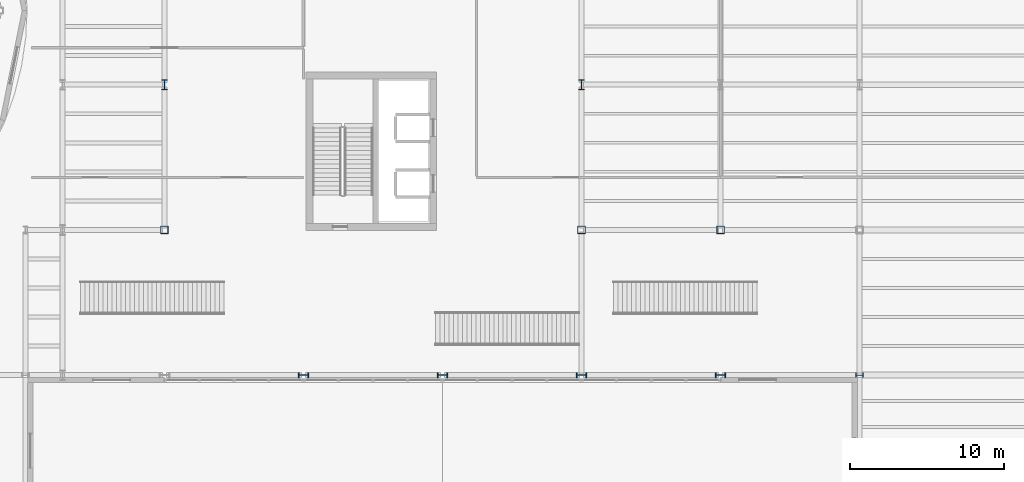
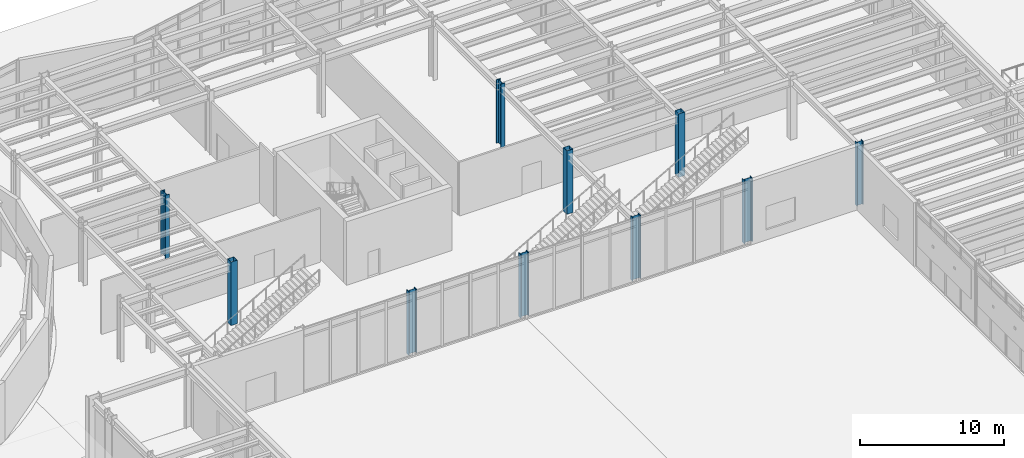
# One storey, part 11 of 94: 10 columns.
"""IFC4 building model written with IfcOpenShell, lengths in metres."""

from ifc_helpers import new_model, si_unit, direction, frame, origin, origin_2d, place, context, subcontext, project, spatial, hollow_rectangle, i_section, extrude, material, material_profile, profile_set, type_object, element, save


model = new_model("IFC4")

# Units and contexts
model_context = context("Model", 3, precision=1e-05, world=origin(), true_north=direction((0.0, 1.0)))
body_context = subcontext(model_context, "Body", "Model", "MODEL_VIEW")
ifc_project = project(units=[si_unit("LENGTHUNIT", "METRE"), si_unit("AREAUNIT", "SQUARE_METRE"), si_unit("VOLUMEUNIT", "CUBIC_METRE"), si_unit("PLANEANGLEUNIT", "RADIAN"), si_unit("MASSUNIT", "GRAM", prefix="KILO")], contexts=[model_context])

# Site, building, storey
site_placement = place(None, origin())
site = spatial("IfcSite", under=ifc_project, at=site_placement, CompositionType="ELEMENT")
building_placement = place(site_placement, origin())
building = spatial("IfcBuilding", under=site, at=building_placement, Name="Sollismere Congress Hotel", CompositionType="ELEMENT")
storey_placement = place(building_placement, origin())
storey = spatial("IfcBuildingStorey", under=building, at=storey_placement, Name="L00", CompositionType="ELEMENT", Elevation=0.0)

# Columns
ifc_material_1 = material(Name="Steel ASTM A500 Grade C", Category="steel")
ifc_material_profile_1 = material_profile(ifc_material_1, hollow_rectangle(XDim=0.5, YDim=0.5, WallThickness=0.02001953125, at=origin_2d()), Name="HSS500X500X20")
ifc_profile_set_1 = profile_set([ifc_material_profile_1], Name="Steel ASTM A500 Grade C")
column_type_1 = type_object("IfcColumnType", Name="COL-HSS500I", PredefinedType="COLUMN", material=ifc_profile_set_1)
for number, where, z_axis, x_axis, name in (
    (1, (67.0, 76.199951171875, 0.0), (0.0, 0.0, 1.0), (1.0, 0.0, 0.0), "Column CL-L00-321"),
    (2, (94.0, 76.199951171875, 0.0), (0.0, 0.0, 1.0), (1.0, 0.0, 0.0), "Column CL-L00-490"),
    (3, (103.0, 76.199951171875, 0.0), (0.0, 0.0, 1.0), (1.0, 0.0, 0.0), "Column CL-L00-548"),
):
    element("IfcColumn", number, at=place(storey_placement, frame(where, z_axis=z_axis, x_axis=x_axis)), inside=storey, type_object=column_type_1, Name=name, PredefinedType="COLUMN", context=body_context, shape_type="SweptSolid", body=[
        extrude(hollow_rectangle(XDim=0.5, YDim=0.5, WallThickness=0.02001953125, at=origin_2d()), origin(), (0.0, 0.0, 1.0), 5.39990234375),
    ])
ifc_material_2 = material(Name="Steel ASTM A992 Grade 50", Category="steel")
ifc_material_profile_2 = material_profile(ifc_material_2, i_section(OverallWidth=0.283935546875, OverallDepth=0.4951171875, WebThickness=0.0185546875, FlangeThickness=0.033447265625, at=origin_2d()), Name="W18X143")
ifc_profile_set_2 = profile_set([ifc_material_profile_2], Name="Steel ASTM A992 Grade 50")
column_type_2 = type_object("IfcColumnType", Name="COL-W18", PredefinedType="COLUMN", material=ifc_profile_set_2)
column_placement = place(storey_placement, frame((112.0, 66.800048828125, 0.0), z_axis=(0.0, 0.0, 1.0), x_axis=(0.0, 1.0, 0.0)))
element("IfcColumn", 4, at=column_placement, inside=storey, type_object=column_type_2, Name="Column CL-L00-623", PredefinedType="COLUMN", context=body_context, shape_type="SweptSolid", body=[
    extrude(i_section(OverallWidth=0.283935546875, OverallDepth=0.4951171875, WebThickness=0.0185546875, FlangeThickness=0.033447265625, at=origin_2d()), origin(), (0.0, 0.0, 1.0), 5.39990234375),
])
ifc_material_profile_3 = material_profile(ifc_material_2, i_section(OverallWidth=0.3330078125, OverallDepth=0.659912109375, WebThickness=0.0244140625, FlangeThickness=0.0439453125, at=origin_2d()), Name="W24X229")
ifc_profile_set_3 = profile_set([ifc_material_profile_3], Name="Steel ASTM A992 Grade 50")
column_type_3 = type_object("IfcColumnType", Name="COL-W24", PredefinedType="COLUMN", material=ifc_profile_set_3)
for number, where, z_axis, x_axis, name in (
    (5, (67.0, 85.60009765625, 0.0), (0.0, 0.0, 1.0), (1.0, 0.0, 0.0), "Column CL-L00-327"),
    (6, (76.0, 66.800048828125, 0.0), (0.0, 0.0, 1.0), (0.0, 1.0, 0.0), "Column CL-L00-379"),
    (7, (85.0, 66.800048828125, 0.0), (0.0, 0.0, 1.0), (0.0, 1.0, 0.0), "Column CL-L00-438"),
    (8, (94.0, 66.800048828125, 0.0), (0.0, 0.0, 1.0), (0.0, 1.0, 0.0), "Column CL-L00-484"),
    (9, (94.0, 85.60009765625, 0.0), (0.0, 0.0, 1.0), (1.0, 0.0, 0.0), "Column CL-L00-496"),
    (10, (103.0, 66.800048828125, 0.0), (0.0, 0.0, 1.0), (0.0, 1.0, 0.0), "Column CL-L00-542"),
):
    element("IfcColumn", number, at=place(storey_placement, frame(where, z_axis=z_axis, x_axis=x_axis)), inside=storey, type_object=column_type_3, Name=name, PredefinedType="COLUMN", context=body_context, shape_type="SweptSolid", body=[
        extrude(i_section(OverallWidth=0.3330078125, OverallDepth=0.659912109375, WebThickness=0.0244140625, FlangeThickness=0.0439453125, at=origin_2d()), origin(), (0.0, 0.0, 1.0), 5.39990234375),
    ])

save(model, "model.ifc")
